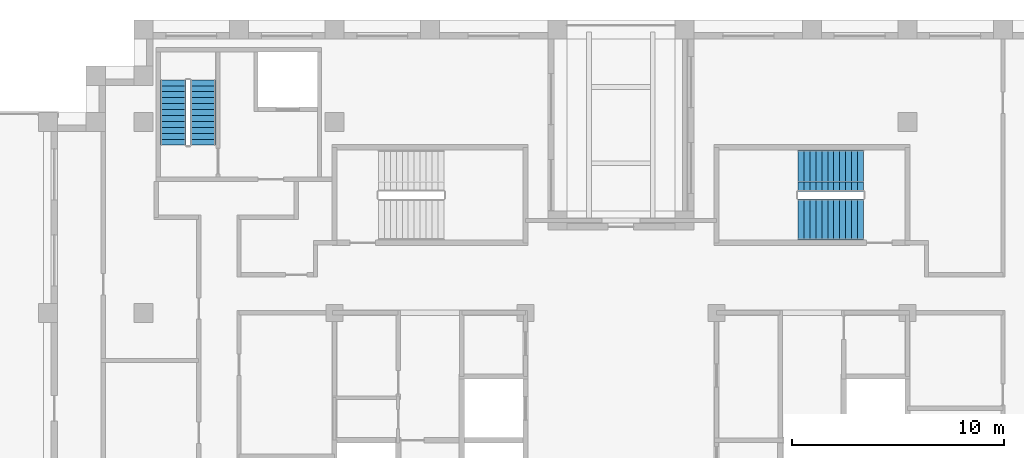
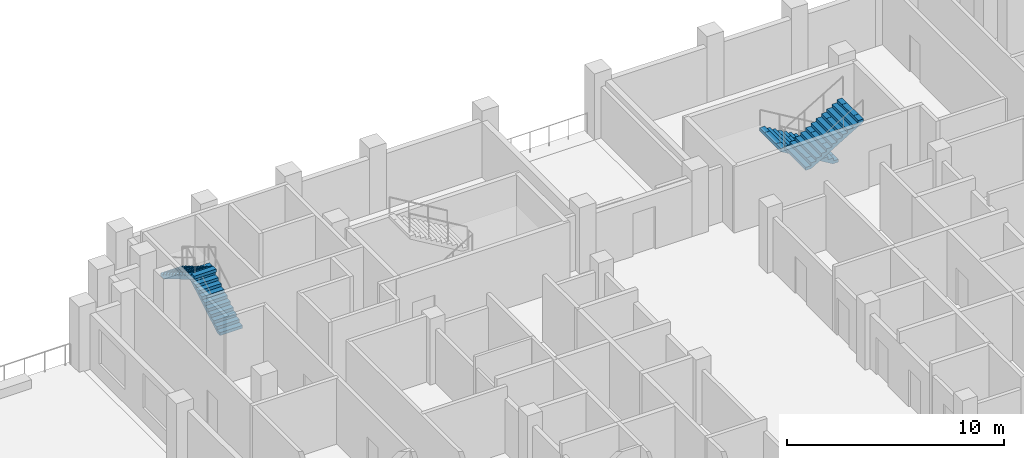
# One storey, part 8 of 10: 4 stair flights, 2 elements without a shape of their own.
"""IFC4 building model written with IfcOpenShell, lengths in metres."""

from ifc_helpers import new_model, si_unit, direction, frame, origin, place, context, subcontext, project, spatial, polyline, outline, extrude, material, type_object, element, aggregate, save


model = new_model("IFC4")

# Units and contexts
model_context = context("Model", 3, precision=1e-05, world=origin(), true_north=direction((0.0, 1.0)))
body_context = subcontext(model_context, "Body", "Model", "MODEL_VIEW")
ifc_project = project(units=[si_unit("LENGTHUNIT", "METRE"), si_unit("AREAUNIT", "SQUARE_METRE"), si_unit("VOLUMEUNIT", "CUBIC_METRE"), si_unit("PLANEANGLEUNIT", "RADIAN"), si_unit("MASSUNIT", "GRAM", prefix="KILO")], contexts=[model_context])

# Site, building, storey
site_placement = place(None, origin())
site = spatial("IfcSite", under=ifc_project, at=site_placement, CompositionType="ELEMENT")
building_placement = place(site_placement, origin())
building = spatial("IfcBuilding", under=site, at=building_placement, Name="Corbelhall Arena Tower", CompositionType="ELEMENT")
storey_placement = place(building_placement, frame((0.0, 0.0, 242.0)))
storey = spatial("IfcBuildingStorey", under=building, at=storey_placement, Name="L51", CompositionType="ELEMENT", Elevation=242.0)

# Stair, stair flights
ifc_material = material(Name="Concrete C40/50", Category="concrete")
stair_type = type_object("IfcStairType", Name="IN-ST-TOWER", PredefinedType="HALF_TURN_STAIR", material=ifc_material)
stair_1_placement = place(storey_placement, origin())
stair_1 = element("IfcStair", 1, at=stair_1_placement, inside=storey, type_object=stair_type, Name="L51 Exit stair ST3", PredefinedType="HALF_TURN_STAIR")
stair_flight_type = type_object("IfcStairFlightType", Name="IN-SFL-RC", PredefinedType="STRAIGHT", material=ifc_material)
stair_flight_1_placement = place(storey_placement, frame((11.425048828125, 15.699951171875, 0.0), z_axis=(0.0, 0.0, 1.0), x_axis=(-1.0, 0.0, 0.0)))
stair_flight_1 = element("IfcStairFlight", 2, at=stair_flight_1_placement, type_object=stair_flight_type, Name="ST3 flight 1", NumberOfRisers=12, NumberOfTreads=11, PredefinedType="STRAIGHT", RiserHeight=0.166666667, TreadLength=0.28, context=body_context, shape_type="SweptSolid", body=[
    extrude(outline(polyline([(0.0, 0.0), (0.0, 0.166748046875), (0.280029296875, 0.166748046875), (0.280029296875, 0.333251953125), (0.56005859375, 0.333251953125), (0.56005859375, 0.5), (0.840087890625, 0.5), (0.840087890625, 0.666748046875), (1.1201171875, 0.666748046875), (1.1201171875, 0.833251953125), (1.39990234375, 0.833251953125), (1.39990234375, 1.0), (1.679931640625, 1.0), (1.679931640625, 1.166748046875), (1.9599609375, 1.166748046875), (1.9599609375, 1.333251953125), (2.239990234375, 1.333251953125), (2.239990234375, 1.5), (2.52001953125, 1.5), (2.52001953125, 1.666748046875), (2.800048828125, 1.666748046875), (2.800048828125, 1.833251953125), (3.080078125, 1.833251953125), (3.080078125, 2.0), (3.080078125, 1.658935546875), (0.29296875, 0.0), (0.0, 0.0)])), frame((0.0, 0.97509765625, 0.0), z_axis=(0.0, -1.0, 0.0), x_axis=(1.0, 0.0, 0.0)), (0.0, 0.0, 1.0), 0.449951171875),
    extrude(outline(polyline([(0.0, 0.0), (0.0, 0.166748046875), (0.280029296875, 0.166748046875), (0.280029296875, 0.333251953125), (0.56005859375, 0.333251953125), (0.56005859375, 0.5), (0.840087890625, 0.5), (0.840087890625, 0.666748046875), (1.1201171875, 0.666748046875), (1.1201171875, 0.833251953125), (1.39990234375, 0.833251953125), (1.39990234375, 1.0), (1.679931640625, 1.0), (1.679931640625, 1.166748046875), (1.9599609375, 1.166748046875), (1.9599609375, 1.333251953125), (2.239990234375, 1.333251953125), (2.239990234375, 1.5), (2.52001953125, 1.5), (2.52001953125, 1.666748046875), (2.800048828125, 1.666748046875), (2.800048828125, 1.833251953125), (3.080078125, 1.833251953125), (3.080078125, 2.0), (3.080078125, 1.658935546875), (0.29296875, 0.0), (0.0, 0.0)])), frame((0.0, 0.52099609375, 0.0), z_axis=(0.0, -1.0, 0.0), x_axis=(1.0, 0.0, 0.0)), (0.0, 0.0, 1.0), 1.0419921875),
    extrude(outline(polyline([(0.0, 0.0), (0.0, 0.166748046875), (0.280029296875, 0.166748046875), (0.280029296875, 0.333251953125), (0.56005859375, 0.333251953125), (0.56005859375, 0.5), (0.840087890625, 0.5), (0.840087890625, 0.666748046875), (1.1201171875, 0.666748046875), (1.1201171875, 0.833251953125), (1.39990234375, 0.833251953125), (1.39990234375, 1.0), (1.679931640625, 1.0), (1.679931640625, 1.166748046875), (1.9599609375, 1.166748046875), (1.9599609375, 1.333251953125), (2.239990234375, 1.333251953125), (2.239990234375, 1.5), (2.52001953125, 1.5), (2.52001953125, 1.666748046875), (2.800048828125, 1.666748046875), (2.800048828125, 1.833251953125), (3.080078125, 1.833251953125), (3.080078125, 2.0), (3.080078125, 1.658935546875), (0.29296875, 0.0), (0.0, 0.0)])), frame((0.0, -0.52490234375, 0.0), z_axis=(0.0, -1.0, 0.0), x_axis=(1.0, 0.0, 0.0)), (0.0, 0.0, 1.0), 0.449951171875),
])
stair_flight_2_placement = place(storey_placement, frame((8.344970703125, 13.39990234375, 2.0), z_axis=(0.0, 0.0, 1.0), x_axis=(1.0, 0.0, 0.0)))
stair_flight_2 = element("IfcStairFlight", 3, at=stair_flight_2_placement, type_object=stair_flight_type, Name="ST3 flight 2", NumberOfRisers=12, NumberOfTreads=11, PredefinedType="STRAIGHT", RiserHeight=0.166666667, TreadLength=0.28, context=body_context, shape_type="SweptSolid", body=[
    extrude(outline(polyline([(0.0, 0.0), (0.0, 0.166748046875), (0.280029296875, 0.166748046875), (0.280029296875, 0.333251953125), (0.56005859375, 0.333251953125), (0.56005859375, 0.5), (0.840087890625, 0.5), (0.840087890625, 0.666748046875), (1.1201171875, 0.666748046875), (1.1201171875, 0.833251953125), (1.39990234375, 0.833251953125), (1.39990234375, 1.0), (1.679931640625, 1.0), (1.679931640625, 1.166748046875), (1.9599609375, 1.166748046875), (1.9599609375, 1.333251953125), (2.239990234375, 1.333251953125), (2.239990234375, 1.5), (2.52001953125, 1.5), (2.52001953125, 1.666748046875), (2.800048828125, 1.666748046875), (2.800048828125, 1.833251953125), (3.080078125, 1.833251953125), (3.080078125, 2.0), (3.080078125, 1.658935546875), (0.29296875, 0.0), (0.0, 0.0)])), frame((0.0, 0.97509765625, 0.0), z_axis=(0.0, -1.0, 0.0), x_axis=(1.0, 0.0, 0.0)), (0.0, 0.0, 1.0), 0.449951171875),
    extrude(outline(polyline([(0.0, 0.0), (0.0, 0.166748046875), (0.280029296875, 0.166748046875), (0.280029296875, 0.333251953125), (0.56005859375, 0.333251953125), (0.56005859375, 0.5), (0.840087890625, 0.5), (0.840087890625, 0.666748046875), (1.1201171875, 0.666748046875), (1.1201171875, 0.833251953125), (1.39990234375, 0.833251953125), (1.39990234375, 1.0), (1.679931640625, 1.0), (1.679931640625, 1.166748046875), (1.9599609375, 1.166748046875), (1.9599609375, 1.333251953125), (2.239990234375, 1.333251953125), (2.239990234375, 1.5), (2.52001953125, 1.5), (2.52001953125, 1.666748046875), (2.800048828125, 1.666748046875), (2.800048828125, 1.833251953125), (3.080078125, 1.833251953125), (3.080078125, 2.0), (3.080078125, 1.658935546875), (0.29296875, 0.0), (0.0, 0.0)])), frame((0.0, 0.52099609375, 0.0), z_axis=(0.0, -1.0, 0.0), x_axis=(1.0, 0.0, 0.0)), (0.0, 0.0, 1.0), 1.0419921875),
    extrude(outline(polyline([(0.0, 0.0), (0.0, 0.166748046875), (0.280029296875, 0.166748046875), (0.280029296875, 0.333251953125), (0.56005859375, 0.333251953125), (0.56005859375, 0.5), (0.840087890625, 0.5), (0.840087890625, 0.666748046875), (1.1201171875, 0.666748046875), (1.1201171875, 0.833251953125), (1.39990234375, 0.833251953125), (1.39990234375, 1.0), (1.679931640625, 1.0), (1.679931640625, 1.166748046875), (1.9599609375, 1.166748046875), (1.9599609375, 1.333251953125), (2.239990234375, 1.333251953125), (2.239990234375, 1.5), (2.52001953125, 1.5), (2.52001953125, 1.666748046875), (2.800048828125, 1.666748046875), (2.800048828125, 1.833251953125), (3.080078125, 1.833251953125), (3.080078125, 2.0), (3.080078125, 1.658935546875), (0.29296875, 0.0), (0.0, 0.0)])), frame((0.0, -0.52490234375, 0.0), z_axis=(0.0, -1.0, 0.0), x_axis=(1.0, 0.0, 0.0)), (0.0, 0.0, 1.0), 0.449951171875),
])
aggregate(stair_1, [stair_flight_1, stair_flight_2])

stair_2_placement = place(storey_placement, origin())
stair_2 = element("IfcStair", 4, at=stair_2_placement, inside=storey, type_object=stair_type, Name="L51 Exit stair ST5", PredefinedType="HALF_TURN_STAIR")
stair_flight_3_placement = place(storey_placement, frame((-19.695068359375, 16.89990234375, 0.0), z_axis=(0.0, 0.0, 1.0), x_axis=(0.0, 1.0, 0.0)))
stair_flight_3 = element("IfcStairFlight", 5, at=stair_flight_3_placement, type_object=stair_flight_type, Name="ST5 flight 1", NumberOfRisers=12, NumberOfTreads=11, PredefinedType="STRAIGHT", RiserHeight=0.166666667, TreadLength=0.28, context=body_context, shape_type="SweptSolid", body=[
    extrude(outline(polyline([(0.0, 0.0), (0.0, 0.166748046875), (0.280029296875, 0.166748046875), (0.280029296875, 0.333251953125), (0.56005859375, 0.333251953125), (0.56005859375, 0.5), (0.840087890625, 0.5), (0.840087890625, 0.666748046875), (1.1201171875, 0.666748046875), (1.1201171875, 0.833251953125), (1.39990234375, 0.833251953125), (1.39990234375, 1.0), (1.679931640625, 1.0), (1.679931640625, 1.166748046875), (1.9599609375, 1.166748046875), (1.9599609375, 1.333251953125), (2.239990234375, 1.333251953125), (2.239990234375, 1.5), (2.52001953125, 1.5), (2.52001953125, 1.666748046875), (2.800048828125, 1.666748046875), (2.800048828125, 1.833251953125), (3.080078125, 1.833251953125), (3.080078125, 2.0), (3.080078125, 1.658935546875), (0.29296875, 0.0), (0.0, 0.0)])), frame((0.0, 0.60009765625, 0.0), z_axis=(0.0, -1.0, 0.0), x_axis=(1.0, 0.0, 0.0)), (0.0, 0.0, 1.0), 1.199951171875),
])
stair_flight_4_placement = place(storey_placement, frame((-21.094970703125, 19.97998046875, 2.0), z_axis=(0.0, 0.0, 1.0), x_axis=(0.0, -1.0, 0.0)))
stair_flight_4 = element("IfcStairFlight", 6, at=stair_flight_4_placement, type_object=stair_flight_type, Name="ST5 flight 2", NumberOfRisers=12, NumberOfTreads=11, PredefinedType="STRAIGHT", RiserHeight=0.166666667, TreadLength=0.28, context=body_context, shape_type="SweptSolid", body=[
    extrude(outline(polyline([(0.0, 0.0), (0.0, 0.166748046875), (0.280029296875, 0.166748046875), (0.280029296875, 0.333251953125), (0.56005859375, 0.333251953125), (0.56005859375, 0.5), (0.840087890625, 0.5), (0.840087890625, 0.666748046875), (1.1201171875, 0.666748046875), (1.1201171875, 0.833251953125), (1.39990234375, 0.833251953125), (1.39990234375, 1.0), (1.679931640625, 1.0), (1.679931640625, 1.166748046875), (1.9599609375, 1.166748046875), (1.9599609375, 1.333251953125), (2.239990234375, 1.333251953125), (2.239990234375, 1.5), (2.52001953125, 1.5), (2.52001953125, 1.666748046875), (2.800048828125, 1.666748046875), (2.800048828125, 1.833251953125), (3.080078125, 1.833251953125), (3.080078125, 2.0), (3.080078125, 1.658935546875), (0.29296875, 0.0), (0.0, 0.0)])), frame((0.0, 0.60009765625, 0.0), z_axis=(0.0, -1.0, 0.0), x_axis=(1.0, 0.0, 0.0)), (0.0, 0.0, 1.0), 1.199951171875),
])
aggregate(stair_2, [stair_flight_3, stair_flight_4])

save(model, "model.ifc")
